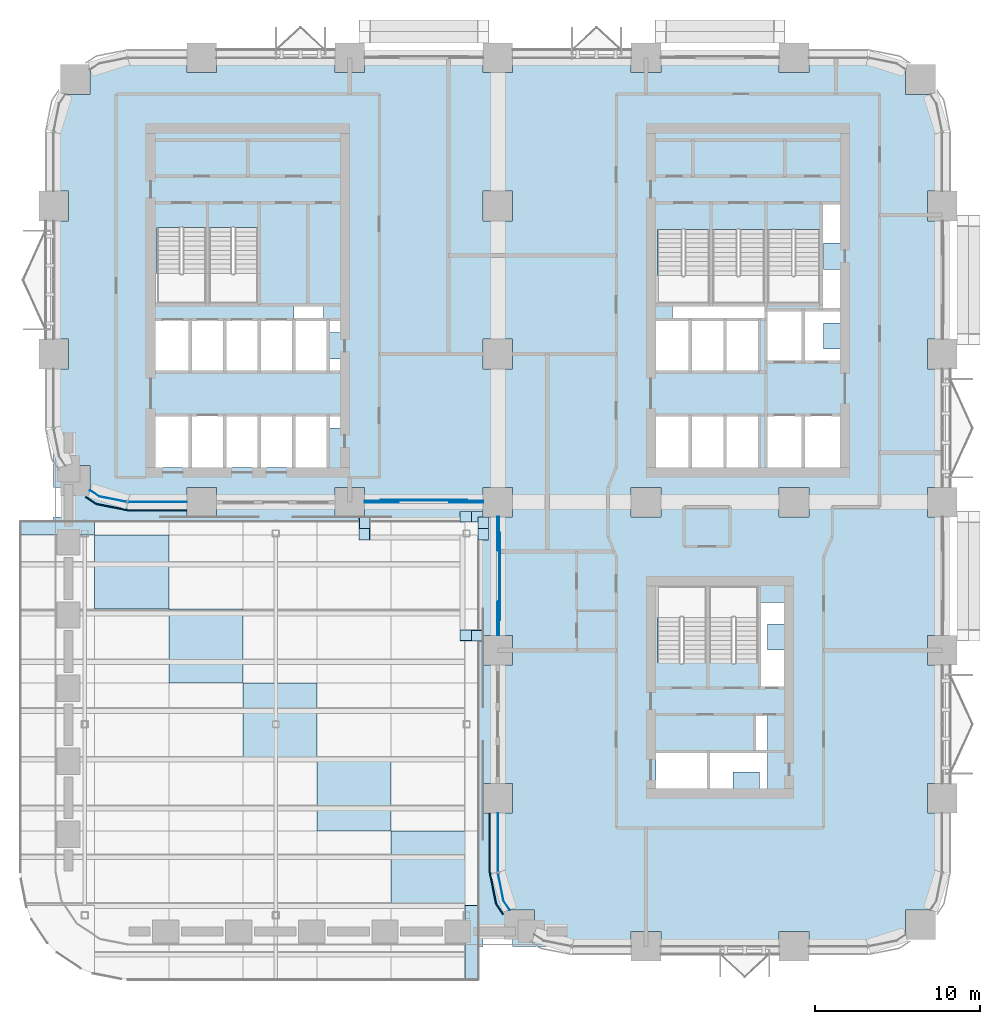
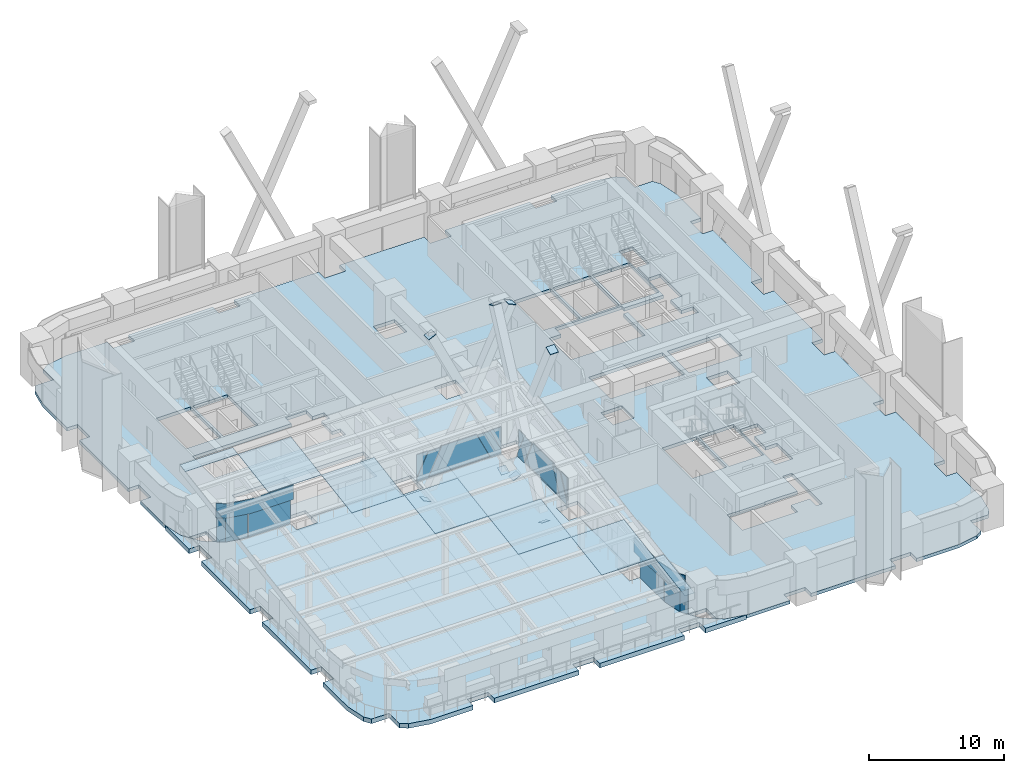
# One storey, part 10 of 22: 31 plates, 2 slabs, 4 elements without a shape of their own.
"""IFC4 building model written with IfcOpenShell, lengths in metres."""

import ifcopenshell
import ifcopenshell.guid

model = None  # the IFC model being written
_history = None  # IfcOwnerHistory: only IFC2X3 demands one
_inside = {}  # id of a spatial element -> (the spatial element, [elements in it])
_under = {}  # id of a project, library or spatial element -> (it, [spatial elements below it])
_declared = {}  # id of a project -> (the project, [libraries it declares])
_typed = {}  # id of a type object -> (the type object, [elements of that type])
_made_of = {}  # id of a material, layer set ... -> (it, [elements and type objects made of it])


def new_model(schema):
    """Start an empty IFC model of exactly this schema.

    Asked for "IFC4X3", IfcOpenShell would pick the latest addendum, in which some entities
    have other attributes; the version numbers below select the first issue.
    IFC2X3 requires an IfcOwnerHistory on every rooted entity: one is made here for all.
    """
    global model, _history
    if schema == "IFC4X3":
        model = ifcopenshell.file(schema_version=(4, 3, 0, 0))
    else:
        model = ifcopenshell.file(schema=schema)
    _inside.clear()
    _under.clear()
    _declared.clear()
    _typed.clear()
    _made_of.clear()
    _history = None
    if model.schema == "IFC2X3":
        org = make("IfcOrganization", Name="unknown")
        user = make(
            "IfcPersonAndOrganization",
            ThePerson=make("IfcPerson", FamilyName="unknown"),
            TheOrganization=org,
        )
        app = make(
            "IfcApplication",
            ApplicationDeveloper=org,
            Version="unknown",
            ApplicationFullName="unknown",
            ApplicationIdentifier="unknown",
        )
        _history = make(
            "IfcOwnerHistory",
            OwningUser=user,
            OwningApplication=app,
            ChangeAction="ADDED",
            CreationDate=0,
        )
    return model


def make(cls, **values):
    """One entity of the class cls with the attributes given. An attribute that is None is left unset."""
    return model.create_entity(
        cls, **{name: value for name, value in values.items() if value is not None}
    )


def rooted(cls, **values):
    """An entity with a GlobalId (a new one), such as an element, a storey or a relation."""
    return make(cls, GlobalId=ifcopenshell.guid.new(), OwnerHistory=_history, **values)


def si_unit(unit_type, name, prefix=None):
    """IfcSIUnit, for example si_unit("LENGTHUNIT", "METRE", prefix="MILLI")."""
    return make("IfcSIUnit", UnitType=unit_type, Prefix=prefix, Name=name)


def assignment(units):
    """IfcUnitAssignment: the units of a project."""
    return None if units is None else make("IfcUnitAssignment", Units=units)


def point(xyz):
    """IfcCartesianPoint."""
    return None if xyz is None else make("IfcCartesianPoint", Coordinates=xyz)


def direction(xyz):
    """IfcDirection."""
    return None if xyz is None else make("IfcDirection", DirectionRatios=xyz)


def frame(location, z_axis=None, x_axis=None):
    """IfcAxis2Placement3D, a coordinate frame: its origin and axes. An axis left out is left unset."""
    return make(
        "IfcAxis2Placement3D",
        Location=point(location),
        Axis=direction(z_axis),
        RefDirection=direction(x_axis),
    )


def frame_2d(location, x_axis=None):
    """IfcAxis2Placement2D, a coordinate frame in the plane: its origin and x axis."""
    return make(
        "IfcAxis2Placement2D", Location=point(location), RefDirection=direction(x_axis)
    )


def origin():
    """The frame at (0, 0, 0) with its axes left unset."""
    return frame((0.0, 0.0, 0.0))


def origin_2d():
    """The frame at (0, 0) in the plane with its x axis left unset."""
    return frame_2d((0.0, 0.0))


def place(relative_to, where):
    """IfcLocalPlacement: puts the frame where relative to a parent placement (None: the world)."""
    return make(
        "IfcLocalPlacement", PlacementRelTo=relative_to, RelativePlacement=where
    )


def context(
    kind, dimensions, precision=None, world=None, true_north=None, identifier=None
):
    """IfcGeometricRepresentationContext, for example the 3D "Model" context."""
    return make(
        "IfcGeometricRepresentationContext",
        ContextIdentifier=identifier,
        ContextType=kind,
        CoordinateSpaceDimension=dimensions,
        Precision=precision,
        WorldCoordinateSystem=world,
        TrueNorth=true_north,
    )


def subcontext(parent, identifier, kind, view, scale=None):
    """IfcGeometricRepresentationSubContext, for example "Body" below "Model"."""
    return make(
        "IfcGeometricRepresentationSubContext",
        ContextIdentifier=identifier,
        ContextType=kind,
        ParentContext=parent,
        TargetScale=scale,
        TargetView=view,
    )


def project(units=None, contexts=None):
    """IfcProject with its units and contexts."""
    return rooted(
        "IfcProject",
        Name="project",
        RepresentationContexts=contexts,
        UnitsInContext=assignment(units),
    )


def spatial(cls, under=None, at=None, **own):
    """A site, building, storey or space (cls), placed at a placement, below another one or the project."""
    s = rooted(cls, ObjectPlacement=at, **own)
    if under is not None:
        _under.setdefault(under.id(), (under, []))[1].append(s)
    return s


def polyline(points):
    """IfcPolyline through the points."""
    return make("IfcPolyline", Points=[point(p) for p in points])


def profile(cls, at=None, kind="AREA", **sizes):
    """A parametric profile (cls). Its sizes go by their IFC names, for example OverallWidth=200.0."""
    return make(cls, ProfileType=kind, Position=at, **sizes)


def rectangle(**sizes):
    """IfcRectangleProfileDef."""
    return profile("IfcRectangleProfileDef", **sizes)


def outline(outer, holes=None, kind="AREA"):
    """IfcArbitraryClosedProfileDef: a profile drawn as a closed curve; with holes, ...WithVoids."""
    if holes is None:
        return make("IfcArbitraryClosedProfileDef", ProfileType=kind, OuterCurve=outer)
    return make(
        "IfcArbitraryProfileDefWithVoids",
        ProfileType=kind,
        OuterCurve=outer,
        InnerCurves=holes,
    )


def extrude(swept, where, along, depth):
    """IfcExtrudedAreaSolid: the profile swept, set in the frame where, extruded along a direction by depth."""
    return make(
        "IfcExtrudedAreaSolid",
        SweptArea=swept,
        Position=where,
        ExtrudedDirection=direction(along),
        Depth=depth,
    )


def shape(context_of_items, identifier, shape_type, items):
    """IfcShapeRepresentation: the items that make up one representation, for example the "Body"."""
    return make(
        "IfcShapeRepresentation",
        ContextOfItems=context_of_items,
        RepresentationIdentifier=identifier,
        RepresentationType=shape_type,
        Items=items,
    )


def material(Name=None, Category=None):
    """IfcMaterial."""
    return make("IfcMaterial", Name=Name, Category=Category)


def layer(
    of_material, thickness, ventilated=None, Name=None, Category=None, Priority=None
):
    """IfcMaterialLayer: one layer of a wall or slab, of a material (None: an air gap)."""
    return make(
        "IfcMaterialLayer",
        Material=of_material,
        LayerThickness=thickness,
        IsVentilated=ventilated,
        Name=Name,
        Category=Category,
        Priority=Priority,
    )


def layer_set(layers, Name=None):
    """IfcMaterialLayerSet."""
    return make("IfcMaterialLayerSet", MaterialLayers=layers, LayerSetName=Name)


def made_of(thing, what):
    """Note that an element or type object is made of a material, layer set ...; save() writes the relation."""
    if what is not None:
        _made_of.setdefault(what.id(), (what, []))[1].append(thing)
    return thing


def type_object(cls, material=None, **own):
    """A type object (cls), such as IfcWallType, which elements share."""
    return made_of(rooted(cls, **own), material)


def element(
    cls,
    number,
    at=None,
    inside=None,
    cuts=None,
    type_object=None,
    material=None,
    context=None,
    identifier="Body",
    shape_type=None,
    held_by="IfcProductDefinitionShape",
    body=None,
    shapes=None,
    **own,
):
    """One element of the class cls, such as IfcWall. Its Tag is "e" and its number.

    at: its placement. inside: the storey or other place that contains it. cuts: it is an
    opening in that element (IfcRelVoidsElement). A single representation is given by context,
    identifier, shape_type and body (its items); several are given by shapes. held_by: the class
    of the entity that holds the representations. save() writes the other relations.
    """
    e = rooted(cls, Tag="e%d" % number, ObjectPlacement=at, **own)
    if body is not None:
        shapes = [shape(context, identifier, shape_type, body)]
    if shapes is not None:
        e.Representation = make(held_by, Representations=shapes)
    if inside is not None:
        _inside.setdefault(inside.id(), (inside, []))[1].append(e)
    if cuts is not None:
        rooted(
            "IfcRelVoidsElement", RelatingBuildingElement=cuts, RelatedOpeningElement=e
        )
    if type_object is not None:
        _typed.setdefault(type_object.id(), (type_object, []))[1].append(e)
    return made_of(e, material)


def aggregate(whole, parts):
    """IfcRelAggregates: a whole, such as a stair, and the parts it consists of."""
    return rooted("IfcRelAggregates", RelatingObject=whole, RelatedObjects=parts)


def save(model, path):
    """Write the relations noted so far, then the file.

    IfcRelAggregates (storeys below a building ...), IfcRelContainedInSpatialStructure (elements
    in a storey), IfcRelDefinesByType, IfcRelAssociatesMaterial and IfcRelDeclares: one each for
    every whole, place, type object, material and project.
    """
    for whole, parts in _under.values():
        aggregate(whole, parts)
    for where, things in _inside.values():
        rooted(
            "IfcRelContainedInSpatialStructure",
            RelatedElements=things,
            RelatingStructure=where,
        )
    for kind, things in _typed.values():
        rooted("IfcRelDefinesByType", RelatedObjects=things, RelatingType=kind)
    for what, things in _made_of.values():
        rooted("IfcRelAssociatesMaterial", RelatedObjects=things, RelatingMaterial=what)
    for by, libraries in _declared.values():
        rooted("IfcRelDeclares", RelatingContext=by, RelatedDefinitions=libraries)
    model.write(path)


model = new_model("IFC4")

# Units and contexts
model_context = context("Model", 3, precision=1e-05, world=origin(), true_north=direction((0.0, 1.0)))
body_context = subcontext(model_context, "Body", "Model", "MODEL_VIEW")
ifc_project = project(units=[si_unit("LENGTHUNIT", "METRE"), si_unit("AREAUNIT", "SQUARE_METRE"), si_unit("VOLUMEUNIT", "CUBIC_METRE"), si_unit("PLANEANGLEUNIT", "RADIAN"), si_unit("MASSUNIT", "GRAM", prefix="KILO")], contexts=[model_context])

# Site, building, storey
site_placement = place(None, origin())
site = spatial("IfcSite", under=ifc_project, at=site_placement, CompositionType="ELEMENT")
building_placement = place(site_placement, origin())
building = spatial("IfcBuilding", under=site, at=building_placement, Name="Tessera Arch", CompositionType="ELEMENT")
storey_placement = place(building_placement, frame((0.0, 0.0, 77.800048828125)))
storey = spatial("IfcBuildingStorey", under=building, at=storey_placement, Name="L17", CompositionType="ELEMENT", Elevation=77.800048828125)

# Curtain wall, plates
ifc_material_1 = material(Name="CW2 curtain wall")
curtain_wall_type_1 = type_object("IfcCurtainWallType", Name="CW2 curtain wall", PredefinedType="NOTDEFINED", material=ifc_material_1)
curtain_wall_1_placement = place(storey_placement, origin())
curtain_wall_1 = element("IfcCurtainWall", 1, at=curtain_wall_1_placement, inside=storey, type_object=curtain_wall_type_1, Name="CW2 curtain wall S27.0/0 L17", PredefinedType="NOTDEFINED")
ifc_material_2 = material(Name="Clear low-e glass", Category="glass")
ifc_material_3 = material(Name="Clear low-e glass", Category="glass")
ifc_layer_1 = layer(ifc_material_3, 0.028076171875)
ifc_layer_set_1 = layer_set([ifc_layer_1], Name="CW2 glass panel")
plate_type_1 = type_object("IfcPlateType", Name="CW2 glass panel", PredefinedType="CURTAIN_PANEL", material=ifc_layer_set_1)
plate_1_placement = place(storey_placement, frame((6.320068359375, 27.0, 0.0), z_axis=(0.0, 0.0, 1.0), x_axis=(1.0, 0.0, 0.0)))
plate_1 = element("IfcPlate", 2, at=plate_1_placement, type_object=plate_type_1, material=ifc_material_2, Name="CW2 glass panel S27.0/0 1.1", PredefinedType="CURTAIN_PANEL", context=body_context, shape_type="SweptSolid", body=[
    extrude(rectangle(XDim=3.56005859375, YDim=0.028076171875, at=origin_2d()), origin(), (0.0, 0.0, 1.0), 2.39990234375),
])
plate_2_placement = place(storey_placement, origin())
plate_2 = element("IfcPlate", 3, at=plate_2_placement, type_object=plate_type_1, material=ifc_material_2, Name="CW2 curved glass panel S27.0/0 2.1", PredefinedType="CURTAIN_PANEL", context=body_context, shape_type="SweptSolid", body=[
    extrude(outline(polyline([(2.783447265625, 27.355712890625), (2.225830078125, 27.728271484375), (2.210205078125, 27.705078125), (2.7724609375, 27.329345703125), (4.4580078125, 26.994140625), (4.46337890625, 27.021484375), (2.783447265625, 27.355712890625)])), origin(), (0.0, 0.0, 1.0), 2.39990234375),
])

curtain_wall_2_placement = place(storey_placement, origin())
curtain_wall_2 = element("IfcCurtainWall", 4, at=curtain_wall_2_placement, inside=storey, type_object=curtain_wall_type_1, Name="CW2 curtain wall W27.0/2 L17", PredefinedType="NOTDEFINED")
plate_3_placement = place(storey_placement, frame((27.0, 6.320068359375, 0.0), z_axis=(0.0, 0.0, 1.0), x_axis=(0.0, -1.0, 0.0)))
plate_3 = element("IfcPlate", 5, at=plate_3_placement, type_object=plate_type_1, material=ifc_material_2, Name="CW2 glass panel W27.0/2 1.1", PredefinedType="CURTAIN_PANEL", context=body_context, shape_type="SweptSolid", body=[
    extrude(rectangle(XDim=3.56005859375, YDim=0.028076171875, at=origin_2d()), origin(), (0.0, 0.0, 1.0), 2.39990234375),
])
plate_4_placement = place(storey_placement, origin())
plate_4 = element("IfcPlate", 6, at=plate_4_placement, type_object=plate_type_1, material=ifc_material_2, Name="CW2 curved glass panel W27.0/2 2.1", PredefinedType="CURTAIN_PANEL", context=body_context, shape_type="SweptSolid", body=[
    extrude(outline(polyline([(27.355712890625, 2.783447265625), (27.021484375, 4.46337890625), (26.994140625, 4.4580078125), (27.329345703125, 2.7724609375), (27.705078125, 2.210205078125), (27.728271484375, 2.225830078125), (27.355712890625, 2.783447265625)])), origin(), (0.0, 0.0, 1.0), 2.39990234375),
])

# Plate
ifc_material_4 = material(Name="Pale anodised aluminium panel", Category="aluminium")
ifc_layer_2 = layer(ifc_material_4, 0.06005859375)
ifc_layer_set_2 = layer_set([ifc_layer_2], Name="CW2 spandrel panel")
plate_type_2 = type_object("IfcPlateType", Name="CW2 spandrel panel", PredefinedType="CURTAIN_PANEL", material=ifc_layer_set_2)
plate_5_placement = place(storey_placement, frame((0.0, 0.0, 2.5)))
plate_5 = element("IfcPlate", 7, at=plate_5_placement, type_object=plate_type_2, Name="CW2 spandrel panel S27.0/0", PredefinedType="CURTAIN_PANEL", context=body_context, shape_type="SweptSolid", body=[
    extrude(outline(polyline([(2.52734375, 26.96875), (1.968017578125, 27.342529296875), (1.9345703125, 27.292724609375), (2.4951171875, 26.91796875), (2.537353515625, 26.892822265625), (2.582763671875, 26.871337890625), (2.6298828125, 26.8544921875), (2.677734375, 26.842529296875), (4.401123046875, 26.499755859375), (4.449951171875, 26.492431640625), (4.499267578125, 26.489990234375), (8.10009765625, 26.489990234375), (8.10009765625, 26.550048828125), (4.500732421875, 26.550048828125), (4.455810546875, 26.55224609375), (4.411376953125, 26.558837890625), (2.69091796875, 26.90087890625), (2.647216796875, 26.911865234375), (2.605712890625, 26.9267578125), (2.565673828125, 26.94580078125), (2.52734375, 26.96875)])), origin(), (0.0, 0.0, 1.0), 1.300048828125),
])

aggregate(curtain_wall_1, [plate_1, plate_2, plate_5])

plate_6_placement = place(storey_placement, frame((0.0, 0.0, 2.5)))
plate_6 = element("IfcPlate", 8, at=plate_6_placement, type_object=plate_type_2, Name="CW2 spandrel panel W27.0/2", PredefinedType="CURTAIN_PANEL", context=body_context, shape_type="SweptSolid", body=[
    extrude(outline(polyline([(26.550048828125, 4.500732421875), (26.550048828125, 8.10009765625), (26.489990234375, 8.10009765625), (26.489990234375, 4.499267578125), (26.492431640625, 4.449951171875), (26.499755859375, 4.401123046875), (26.842529296875, 2.677734375), (26.8544921875, 2.6298828125), (26.871337890625, 2.582763671875), (26.892822265625, 2.537353515625), (26.91796875, 2.4951171875), (27.292724609375, 1.9345703125), (27.342529296875, 1.968017578125), (26.96875, 2.52734375), (26.94580078125, 2.565673828125), (26.9267578125, 2.605712890625), (26.911865234375, 2.647216796875), (26.90087890625, 2.69091796875), (26.558837890625, 4.411376953125), (26.55224609375, 4.455810546875), (26.550048828125, 4.500732421875)])), origin(), (0.0, 0.0, 1.0), 1.300048828125),
])

aggregate(curtain_wall_2, [plate_3, plate_4, plate_6])

# Curtain wall, plates
ifc_material_5 = material(Name="CW3 curtain wall")
curtain_wall_type_2 = type_object("IfcCurtainWallType", Name="CW3 curtain wall", PredefinedType="NOTDEFINED", material=ifc_material_5)
curtain_wall_3_placement = place(storey_placement, origin())
curtain_wall_3 = element("IfcCurtainWall", 9, at=curtain_wall_3_placement, inside=storey, type_object=curtain_wall_type_2, Name="CW3 curtain wall S27.0/2 L17", PredefinedType="NOTDEFINED")
ifc_material_6 = material(Name="Pale anodised aluminium panel", Category="aluminium")
ifc_layer_3 = layer(ifc_material_6, 0.06005859375)
ifc_layer_set_3 = layer_set([ifc_layer_3], Name="CW3 diagonal panel")
plate_type_3 = type_object("IfcPlateType", Name="CW3 diagonal panel", PredefinedType="CURTAIN_PANEL", material=ifc_layer_set_3)
plate_7_placement = place(storey_placement, frame((26.10009765625, 26.969970703125, 0.0), z_axis=(0.0, -1.0, 0.0), x_axis=(0.0, 0.0, 1.0)))
plate_7 = element("IfcPlate", 10, at=plate_7_placement, type_object=plate_type_3, Name="CW3 diagonal panel S27.0/2 1", PredefinedType="CURTAIN_PANEL", context=body_context, shape_type="SweptSolid", body=[
    extrude(outline(polyline([(0.0, 0.0), (0.36083984375, 0.0), (2.39990234375, 0.966064453125), (2.39990234375, 2.06591796875), (0.0, 0.928955078125), (0.0, 0.0)])), origin(), (0.0, 0.0, -1.0), 0.06005859375),
])
plate_8_placement = place(storey_placement, frame((20.9658203125, 26.969970703125, 2.39990234375), z_axis=(0.0, -1.0, 0.0), x_axis=(-1.0, 0.0, 0.0)))
plate_8 = element("IfcPlate", 11, at=plate_8_placement, type_object=plate_type_3, Name="CW3 diagonal panel S27.0/2 2", PredefinedType="CURTAIN_PANEL", context=body_context, shape_type="SweptSolid", body=[
    extrude(outline(polyline([(0.0, 0.0), (1.099853515625, 0.0), (2.06591796875, 2.0390625), (2.06591796875, 2.39990234375), (1.136962890625, 2.39990234375), (0.0, 0.0)])), origin(), (0.0, 0.0, -1.0), 0.06005859375),
])
plate_9_placement = place(storey_placement, frame((18.89990234375, 27.030029296875, 2.39990234375), z_axis=(0.0, -1.0, 0.0), x_axis=(0.0, 0.0, -1.0)))
plate_9 = element("IfcPlate", 12, at=plate_9_placement, type_object=plate_type_3, Name="CW3 diagonal panel S27.0/2 3", PredefinedType="CURTAIN_PANEL", context=body_context, shape_type="SweptSolid", body=[
    extrude(outline(polyline([(0.0, 0.0), (2.0390625, 0.0), (0.0, 0.966064453125), (0.0, 0.0)])), origin(), (0.0, 0.0, -1.0), 0.06005859375),
])
plate_10_placement = place(storey_placement, frame((24.0341796875, 27.090087890625, 2.39990234375), z_axis=(0.0, -1.0, 0.0), x_axis=(-1.0, 0.0, 0.0)))
plate_10 = element("IfcPlate", 13, at=plate_10_placement, type_object=plate_type_3, Name="CW3 diagonal panel S27.0/2 4", PredefinedType="CURTAIN_PANEL", context=body_context, shape_type="SweptSolid", body=[
    extrude(outline(polyline([(0.0, 0.0), (3.068359375, 0.0), (4.205322265625, 2.39990234375), (-1.136962890625, 2.39990234375), (0.0, 0.0)])), origin(), (0.0, 0.0, -1.0), 0.06005859375),
])
plate_11_placement = place(storey_placement, frame((26.10009765625, 27.030029296875, 2.39990234375), z_axis=(0.0, -1.0, 0.0), x_axis=(-1.0, 0.0, 0.0)))
plate_11 = element("IfcPlate", 14, at=plate_11_placement, type_object=plate_type_3, Name="CW3 diagonal panel S27.0/2 5", PredefinedType="CURTAIN_PANEL", context=body_context, shape_type="SweptSolid", body=[
    extrude(outline(polyline([(0.0, 0.0), (0.966064453125, 0.0), (0.0, 2.0390625), (0.0, 0.0)])), origin(), (0.0, 0.0, -1.0), 0.06005859375),
])
aggregate(curtain_wall_3, [plate_7, plate_8, plate_9, plate_10, plate_11])

curtain_wall_4_placement = place(storey_placement, origin())
curtain_wall_4 = element("IfcCurtainWall", 15, at=curtain_wall_4_placement, inside=storey, type_object=curtain_wall_type_2, Name="CW3 curtain wall W27.0/0 L17", PredefinedType="NOTDEFINED")
plate_12_placement = place(storey_placement, frame((26.969970703125, 18.89990234375, 0.0), z_axis=(-1.0, 0.0, 0.0), x_axis=(0.0, 0.0, 1.0)))
plate_12 = element("IfcPlate", 16, at=plate_12_placement, type_object=plate_type_3, Name="CW3 diagonal panel W27.0/0 1", PredefinedType="CURTAIN_PANEL", context=body_context, shape_type="SweptSolid", body=[
    extrude(outline(polyline([(0.0, 0.0), (0.36083984375, 0.0), (2.39990234375, 0.966064453125), (2.39990234375, 2.06591796875), (0.0, 0.928955078125), (0.0, 0.0)])), origin(), (0.0, 0.0, -1.0), 0.06005859375),
])
plate_13_placement = place(storey_placement, frame((26.969970703125, 24.0341796875, 2.39990234375), z_axis=(-1.0, 0.0, 0.0), x_axis=(0.0, 1.0, 0.0)))
plate_13 = element("IfcPlate", 17, at=plate_13_placement, type_object=plate_type_3, Name="CW3 diagonal panel W27.0/0 2", PredefinedType="CURTAIN_PANEL", context=body_context, shape_type="SweptSolid", body=[
    extrude(outline(polyline([(0.0, 0.0), (1.099853515625, 0.0), (2.06591796875, 2.0390625), (2.06591796875, 2.39990234375), (1.136962890625, 2.39990234375), (0.0, 0.0)])), origin(), (0.0, 0.0, -1.0), 0.06005859375),
])
plate_14_placement = place(storey_placement, frame((27.030029296875, 26.10009765625, 2.39990234375), z_axis=(-1.0, 0.0, 0.0), x_axis=(0.0, 0.0, -1.0)))
plate_14 = element("IfcPlate", 18, at=plate_14_placement, type_object=plate_type_3, Name="CW3 diagonal panel W27.0/0 3", PredefinedType="CURTAIN_PANEL", context=body_context, shape_type="SweptSolid", body=[
    extrude(outline(polyline([(0.0, 0.0), (2.0390625, 0.0), (0.0, 0.966064453125), (0.0, 0.0)])), origin(), (0.0, 0.0, -1.0), 0.06005859375),
])
plate_15_placement = place(storey_placement, frame((27.090087890625, 20.9658203125, 2.39990234375), z_axis=(-1.0, 0.0, 0.0), x_axis=(0.0, 1.0, 0.0)))
plate_15 = element("IfcPlate", 19, at=plate_15_placement, type_object=plate_type_3, Name="CW3 diagonal panel W27.0/0 4", PredefinedType="CURTAIN_PANEL", context=body_context, shape_type="SweptSolid", body=[
    extrude(outline(polyline([(0.0, 0.0), (3.068359375, 0.0), (4.205322265625, 2.39990234375), (-1.136962890625, 2.39990234375), (0.0, 0.0)])), origin(), (0.0, 0.0, -1.0), 0.06005859375),
])
plate_16_placement = place(storey_placement, frame((27.030029296875, 18.89990234375, 2.39990234375), z_axis=(-1.0, 0.0, 0.0), x_axis=(0.0, 1.0, 0.0)))
plate_16 = element("IfcPlate", 20, at=plate_16_placement, type_object=plate_type_3, Name="CW3 diagonal panel W27.0/0 5", PredefinedType="CURTAIN_PANEL", context=body_context, shape_type="SweptSolid", body=[
    extrude(outline(polyline([(0.0, 0.0), (0.966064453125, 0.0), (0.0, 2.0390625), (0.0, 0.0)])), origin(), (0.0, 0.0, -1.0), 0.06005859375),
])
aggregate(curtain_wall_4, [plate_12, plate_13, plate_14, plate_15, plate_16])

# Plates
ifc_material_7 = material(Name="Clear low-e laminated glass", Category="glass")
ifc_layer_4 = layer(ifc_material_7, 0.0439453125)
ifc_layer_set_4 = layer_set([ifc_layer_4], Name="Canopy panel clear glass")
plate_type_4 = type_object("IfcPlateType", Name="Canopy panel clear glass", PredefinedType="SHEET", material=ifc_layer_set_4)
plate_17_placement = place(storey_placement, frame((-2.0, 25.0, 9.4404296875), z_axis=(0.0, -0.15642687598, 0.987689542554), x_axis=(1.0, 0.0, 0.0)))
element("IfcPlate", 21, at=plate_17_placement, inside=storey, type_object=plate_type_4, Name="CANOPY T4 panel 1-7", PredefinedType="SHEET", context=body_context, shape_type="SweptSolid", body=[
    extrude(outline(polyline([(0.0, 0.0), (4.5, 0.0), (4.5, 0.8100205516562711), (0.0, 0.8100205516562711), (0.0, 0.0)])), origin(), (0.0, 0.0, -1.0), 0.0439453125),
])
plate_18_placement = place(storey_placement, frame((7.0, 20.5, 8.7275390625), z_axis=(0.0, -0.156468860961, 0.987682892203), x_axis=(0.0, 0.987682892203, 0.156468860961)))
element("IfcPlate", 22, at=plate_18_placement, inside=storey, type_object=plate_type_4, Name="CANOPY T4 panel 2-6", PredefinedType="SHEET", context=body_context, shape_type="SweptSolid", body=[
    extrude(outline(polyline([(0.0, 0.0), (4.556118198994939, 0.0), (4.556118198994939, 4.5), (0.0, 4.5), (0.0, 0.0)])), origin(), (0.0, 0.0, -1.0), 0.0439453125),
])
for number, where, z_axis, x_axis, name in (
    (23, (11.5, 16.0, 8.014892578125), (0.0, -0.156416586978, 0.987691172036), (0.0, 0.987691172036, 0.156416586978), "CANOPY T4 panel 3-5"),
    (24, (16.0, 11.5, 7.30224609375), (0.0, -0.156416586978, 0.987691172036), (0.0, 0.987691172036, 0.156416586978), "CANOPY T4 panel 4-4"),
):
    element("IfcPlate", number, at=place(storey_placement, frame(where, z_axis=z_axis, x_axis=x_axis)), inside=storey, type_object=plate_type_4, Name=name, PredefinedType="SHEET", context=body_context, shape_type="SweptSolid", body=[
        extrude(outline(polyline([(0.0, 0.0), (4.556080004970506, 0.0), (4.556080004970506, 4.5), (0.0, 4.5), (0.0, 0.0)])), origin(), (0.0, 0.0, -1.0), 0.0439453125),
    ])
plate_19_placement = place(storey_placement, frame((20.5, 7.0, 6.58935546875), z_axis=(0.0, -0.156468860961, 0.987682892203), x_axis=(0.0, 0.987682892203, 0.156468860961)))
element("IfcPlate", 25, at=plate_19_placement, inside=storey, type_object=plate_type_4, Name="CANOPY T4 panel 5-3", PredefinedType="SHEET", context=body_context, shape_type="SweptSolid", body=[
    extrude(outline(polyline([(0.0, 0.0), (4.556118198994939, 0.0), (4.556118198994939, 4.5), (0.0, 4.5), (0.0, 0.0)])), origin(), (0.0, 0.0, -1.0), 0.0439453125),
])
plate_20_placement = place(storey_placement, frame((25.0, 2.5, 5.876708984375), z_axis=(0.0, -0.156416586978, 0.987691172036), x_axis=(0.0, 0.987691172036, 0.156416586978)))
element("IfcPlate", 26, at=plate_20_placement, inside=storey, type_object=plate_type_4, Name="CANOPY T4 panel 6-2", PredefinedType="SHEET", context=body_context, shape_type="SweptSolid", body=[
    extrude(outline(polyline([(0.0, 0.0), (4.556080004970506, 0.0), (4.556080004970506, 4.5), (0.0, 4.5), (0.0, 0.0)])), origin(), (0.0, 0.0, -1.0), 0.0439453125),
])
plate_21_placement = place(storey_placement, frame((25.800048828125, 2.5, 5.876708984375), z_axis=(0.0, -0.156416586978, 0.987691172036), x_axis=(-1.0, 0.0, 0.0)))
element("IfcPlate", 27, at=plate_21_placement, inside=storey, type_object=plate_type_4, Name="CANOPY T4 panel 7-1", PredefinedType="SHEET", context=body_context, shape_type="SweptSolid", body=[
    extrude(outline(polyline([(0.0, 0.0), (0.800048828125, 0.0), (0.800048828125, 4.556080004970506), (0.0, 4.556080004970506), (0.0, 0.0)])), origin(), (0.0, 0.0, -1.0), 0.0439453125),
])
ifc_material_8 = material(Name="Steel A572 Gr50", Category="steel")
ifc_layer_5 = layer(ifc_material_8, 0.0400390625)
ifc_layer_set_5 = layer_set([ifc_layer_5], Name="End plate BOX 700x700x50")
plate_type_5 = type_object("IfcPlateType", Name="End plate BOX 700x700x50", PredefinedType="SHEET", material=ifc_layer_set_5)
for number, where, z_axis, x_axis, name in (
    (28, (18.8828125, 25.75, -0.836181640625), (0.427561148889, 0.0, 0.90398642908), (0.0, 1.0, 0.0), "End plate BOX 700x700x50 S27.0-2 A1 L17"),
    (29, (26.10009765625, 25.75, 14.39990234375), (0.427561148889, 0.0, 0.90398642908), (0.0, 1.0, 0.0), "End plate BOX 700x700x50 S27.0-2 A2 L17"),
    (30, (26.1171875, 25.050048828125, -0.836181640625), (-0.427561148889, 0.0, 0.90398642908), (0.0, -1.0, 0.0), "End plate BOX 700x700x50 S27.0-2 B1 L17"),
    (31, (18.89990234375, 25.050048828125, 14.39990234375), (-0.427561148889, 0.0, 0.90398642908), (0.0, -1.0, 0.0), "End plate BOX 700x700x50 S27.0-2 B2 L17"),
    (32, (25.75, 26.1171875, -0.836181640625), (0.0, -0.427561148889, 0.90398642908), (1.0, 0.0, 0.0), "End plate BOX 700x700x50 W27.0-0 A1 L17"),
    (33, (25.75, 18.89990234375, 14.39990234375), (0.0, -0.427561148889, 0.90398642908), (1.0, 0.0, 0.0), "End plate BOX 700x700x50 W27.0-0 A2 L17"),
    (34, (25.050048828125, 18.8828125, -0.836181640625), (0.0, 0.427561148889, 0.90398642908), (-1.0, 0.0, 0.0), "End plate BOX 700x700x50 W27.0-0 B1 L17"),
    (35, (25.050048828125, 26.10009765625, 14.39990234375), (0.0, 0.427561148889, 0.90398642908), (-1.0, 0.0, 0.0), "End plate BOX 700x700x50 W27.0-0 B2 L17"),
):
    element("IfcPlate", number, at=place(storey_placement, frame(where, z_axis=z_axis, x_axis=x_axis)), inside=storey, type_object=plate_type_5, Name=name, PredefinedType="SHEET", context=body_context, shape_type="SweptSolid", body=[
        extrude(rectangle(XDim=0.699951171875, YDim=0.699951171875, at=origin_2d()), origin(), (0.0, 0.0, 1.0), 0.0400390625),
    ])

# Slabs
ifc_material_9 = material(Name="Concrete C40/50", Category="concrete")
ifc_layer_6 = layer(ifc_material_9, 0.300048828125)
ifc_layer_set_6 = layer_set([ifc_layer_6], Name="Floor slab 300 Concrete C40/50")
slab_type_1 = type_object("IfcSlabType", Name="Floor slab 300 Concrete C40/50", PredefinedType="FLOOR", material=ifc_layer_set_6)
slab_1_placement = place(storey_placement, frame((0.0, 0.0, -0.300048828125)))
element("IfcSlab", 36, at=slab_1_placement, inside=storey, type_object=slab_type_1, Name="Floor slab L17 1", PredefinedType="FLOOR", context=body_context, shape_type="SweptSolid", body=[
    extrude(outline(polyline([(49.5, 54.0), (51.22216796875, 53.657470703125), (51.781982421875, 53.283447265625), (51.781982421875, 51.781982421875), (53.283447265625, 51.781982421875), (53.657470703125, 51.22216796875), (54.0, 49.5), (54.0, 45.89990234375), (53.10009765625, 45.89990234375), (53.10009765625, 44.10009765625), (54.0, 44.10009765625), (54.0, 36.89990234375), (53.10009765625, 36.89990234375), (53.10009765625, 35.10009765625), (54.0, 35.10009765625), (54.0, 27.89990234375), (53.10009765625, 27.89990234375), (53.10009765625, 26.10009765625), (54.0, 26.10009765625), (54.0, 18.89990234375), (53.10009765625, 18.89990234375), (53.10009765625, 17.10009765625), (54.0, 17.10009765625), (54.0, 9.89990234375), (53.10009765625, 9.89990234375), (53.10009765625, 8.10009765625), (54.0, 8.10009765625), (54.0, 4.5), (53.657470703125, 2.77783203125), (53.283447265625, 2.218017578125), (51.781982421875, 2.218017578125), (51.781982421875, 0.716552734375), (51.22216796875, 0.342529296875), (49.5, 0.0), (45.89990234375, 0.0), (45.89990234375, 0.89990234375), (44.10009765625, 0.89990234375), (44.10009765625, 0.0), (36.89990234375, 0.0), (36.89990234375, 0.89990234375), (35.10009765625, 0.89990234375), (35.10009765625, 0.0), (31.5, 0.0), (29.77783203125, 0.342529296875), (29.218017578125, 0.716552734375), (29.218017578125, 2.218017578125), (27.716552734375, 2.218017578125), (27.342529296875, 2.77783203125), (27.0, 4.5), (27.0, 8.10009765625), (27.89990234375, 8.10009765625), (27.89990234375, 9.89990234375), (27.0, 9.89990234375), (27.0, 17.10009765625), (27.89990234375, 17.10009765625), (27.89990234375, 18.89990234375), (27.0, 18.89990234375), (27.0, 26.10009765625), (27.89990234375, 26.10009765625), (27.89990234375, 27.89990234375), (26.10009765625, 27.89990234375), (26.10009765625, 27.0), (18.89990234375, 27.0), (18.89990234375, 27.89990234375), (17.10009765625, 27.89990234375), (17.10009765625, 27.0), (9.89990234375, 27.0), (9.89990234375, 27.89990234375), (8.10009765625, 27.89990234375), (8.10009765625, 27.0), (4.5, 27.0), (2.77783203125, 27.342529296875), (2.218017578125, 27.716552734375), (2.218017578125, 29.218017578125), (0.716552734375, 29.218017578125), (0.342529296875, 29.77783203125), (0.0, 31.5), (0.0, 35.10009765625), (0.89990234375, 35.10009765625), (0.89990234375, 36.89990234375), (0.0, 36.89990234375), (0.0, 44.10009765625), (0.89990234375, 44.10009765625), (0.89990234375, 45.89990234375), (0.0, 45.89990234375), (0.0, 49.5), (0.342529296875, 51.22216796875), (0.716552734375, 51.781982421875), (2.218017578125, 51.781982421875), (2.218017578125, 53.283447265625), (2.77783203125, 53.657470703125), (4.5, 54.0), (8.10009765625, 54.0), (8.10009765625, 53.10009765625), (9.89990234375, 53.10009765625), (9.89990234375, 54.0), (17.10009765625, 54.0), (17.10009765625, 53.10009765625), (18.89990234375, 53.10009765625), (18.89990234375, 54.0), (26.10009765625, 54.0), (26.10009765625, 53.10009765625), (27.89990234375, 53.10009765625), (27.89990234375, 54.0), (35.10009765625, 54.0), (35.10009765625, 53.10009765625), (36.89990234375, 53.10009765625), (36.89990234375, 54.0), (44.10009765625, 54.0), (44.10009765625, 53.10009765625), (45.89990234375, 53.10009765625), (45.89990234375, 54.0), (49.5, 54.0)]), holes=[polyline([(6.199951171875, 32.300048828125), (6.199951171875, 29.10009765625), (8.300048828125, 29.10009765625), (10.39990234375, 29.10009765625), (12.5, 29.10009765625), (14.60009765625, 29.10009765625), (16.699951171875, 29.10009765625), (16.699951171875, 31.5), (17.39990234375, 31.5), (17.39990234375, 32.300048828125), (16.699951171875, 32.300048828125), (14.60009765625, 32.300048828125), (12.5, 32.300048828125), (10.39990234375, 32.300048828125), (8.300048828125, 32.300048828125), (6.199951171875, 32.300048828125)]), polyline([(14.60009765625, 34.89990234375), (16.699951171875, 34.89990234375), (17.39990234375, 34.89990234375), (17.39990234375, 35.699951171875), (16.699951171875, 35.699951171875), (16.699951171875, 37.300048828125), (17.39990234375, 37.300048828125), (17.39990234375, 38.10009765625), (16.699951171875, 38.10009765625), (16.39990234375, 38.10009765625), (16.39990234375, 39.0), (14.60009765625, 39.0), (14.60009765625, 38.10009765625), (12.5, 38.10009765625), (10.39990234375, 38.10009765625), (8.300048828125, 38.10009765625), (6.199951171875, 38.10009765625), (6.199951171875, 34.89990234375), (8.300048828125, 34.89990234375), (10.39990234375, 34.89990234375), (12.5, 34.89990234375), (14.60009765625, 34.89990234375)]), polyline([(11.0, 43.699951171875), (10.85009765625, 43.699951171875), (10.85009765625, 43.68994140625), (9.449951171875, 43.68994140625), (9.449951171875, 39.199951171875), (12.39990234375, 39.199951171875), (12.39990234375, 43.68994140625), (11.0, 43.68994140625), (11.0, 43.699951171875)]), polyline([(7.85009765625, 43.699951171875), (7.699951171875, 43.699951171875), (7.699951171875, 43.68994140625), (6.300048828125, 43.68994140625), (6.300048828125, 39.199951171875), (9.25, 39.199951171875), (9.25, 43.68994140625), (7.85009765625, 43.68994140625), (7.85009765625, 43.699951171875)]), polyline([(43.39990234375, 9.60009765625), (43.39990234375, 11.89990234375), (43.39990234375, 14.10009765625), (42.60009765625, 14.10009765625), (42.60009765625, 11.89990234375), (39.800048828125, 11.89990234375), (39.800048828125, 11.85009765625), (36.60009765625, 11.85009765625), (36.60009765625, 9.60009765625), (39.800048828125, 9.60009765625), (41.300048828125, 9.60009765625), (41.300048828125, 10.60009765625), (42.89990234375, 10.60009765625), (42.89990234375, 9.60009765625), (43.39990234375, 9.60009765625)]), polyline([(41.25, 17.199951171875), (41.39990234375, 17.199951171875), (41.39990234375, 17.2099609375), (42.800048828125, 17.2099609375), (42.800048828125, 21.699951171875), (39.85009765625, 21.699951171875), (39.85009765625, 17.2099609375), (41.25, 17.2099609375), (41.25, 17.199951171875)]), polyline([(38.10009765625, 17.199951171875), (38.25, 17.199951171875), (38.25, 17.2099609375), (39.64990234375, 17.2099609375), (39.64990234375, 21.699951171875), (36.699951171875, 21.699951171875), (36.699951171875, 17.2099609375), (38.10009765625, 17.2099609375), (38.10009765625, 17.199951171875)]), polyline([(35.10009765625, 26.10009765625), (36.89990234375, 26.10009765625), (36.89990234375, 27.89990234375), (35.10009765625, 27.89990234375), (35.10009765625, 26.10009765625)]), polyline([(38.699951171875, 29.10009765625), (40.800048828125, 29.10009765625), (42.89990234375, 29.10009765625), (42.89990234375, 32.300048828125), (40.800048828125, 32.300048828125), (38.699951171875, 32.300048828125), (36.60009765625, 32.300048828125), (36.60009765625, 29.10009765625), (38.699951171875, 29.10009765625)]), polyline([(26.10009765625, 35.10009765625), (27.89990234375, 35.10009765625), (27.89990234375, 36.89990234375), (26.10009765625, 36.89990234375), (26.10009765625, 35.10009765625)]), polyline([(43.300048828125, 39.0), (37.60009765625, 39.0), (37.60009765625, 38.10009765625), (36.60009765625, 38.10009765625), (36.60009765625, 34.89990234375), (38.699951171875, 34.89990234375), (40.800048828125, 34.89990234375), (42.89990234375, 34.89990234375), (42.89990234375, 38.10009765625), (43.300048828125, 38.10009765625), (43.300048828125, 35.5), (45.550048828125, 35.5), (47.800048828125, 35.5), (47.800048828125, 36.300048828125), (46.800048828125, 36.300048828125), (46.800048828125, 37.89990234375), (47.800048828125, 37.89990234375), (47.800048828125, 38.699951171875), (47.800048828125, 41.14990234375), (46.800048828125, 41.14990234375), (46.800048828125, 42.75), (47.800048828125, 42.75), (47.800048828125, 45.199951171875), (46.64990234375, 45.199951171875), (46.64990234375, 38.699951171875), (45.550048828125, 38.699951171875), (43.300048828125, 38.699951171875), (43.300048828125, 39.0)]), polyline([(38.330078125, 43.580078125), (38.219970703125, 43.580078125), (38.219970703125, 43.570068359375), (36.699951171875, 43.570068359375), (36.699951171875, 39.199951171875), (39.85009765625, 39.199951171875), (39.85009765625, 43.570068359375), (38.330078125, 43.570068359375), (38.330078125, 43.580078125)]), polyline([(26.10009765625, 44.10009765625), (27.89990234375, 44.10009765625), (27.89990234375, 45.89990234375), (26.10009765625, 45.89990234375), (26.10009765625, 44.10009765625)]), polyline([(42.89990234375, 15.699951171875), (44.39990234375, 15.699951171875), (44.39990234375, 18.0), (43.39990234375, 18.0), (43.39990234375, 19.60009765625), (44.39990234375, 19.60009765625), (44.39990234375, 20.89990234375), (42.89990234375, 20.89990234375), (42.89990234375, 15.699951171875)]), polyline([(44.10009765625, 26.10009765625), (45.89990234375, 26.10009765625), (45.89990234375, 27.89990234375), (44.10009765625, 27.89990234375), (44.10009765625, 26.10009765625)]), polyline([(45.550048828125, 29.10009765625), (47.800048828125, 29.10009765625), (47.800048828125, 32.300048828125), (45.550048828125, 32.300048828125), (43.300048828125, 32.300048828125), (43.300048828125, 29.10009765625), (45.550048828125, 29.10009765625)]), polyline([(45.030029296875, 43.580078125), (44.919921875, 43.580078125), (44.919921875, 43.570068359375), (43.39990234375, 43.570068359375), (43.39990234375, 39.199951171875), (46.550048828125, 39.199951171875), (46.550048828125, 43.570068359375), (45.030029296875, 43.570068359375), (45.030029296875, 43.580078125)]), polyline([(41.679931640625, 43.580078125), (41.570068359375, 43.580078125), (41.570068359375, 43.570068359375), (40.050048828125, 43.570068359375), (40.050048828125, 39.199951171875), (43.199951171875, 39.199951171875), (43.199951171875, 43.570068359375), (41.679931640625, 43.570068359375), (41.679931640625, 43.580078125)])]), origin(), (0.0, 0.0, 1.0), 0.300048828125),
])
ifc_material_10 = material(Name="Concrete C40/50", Category="concrete")
ifc_layer_7 = layer(ifc_material_10, 0.409912109375)
ifc_layer_set_7 = layer_set([ifc_layer_7], Name="Terrace slab 410 Concrete C40/50")
slab_type_2 = type_object("IfcSlabType", Name="Terrace slab 410 Concrete C40/50", PredefinedType="ROOF", material=ifc_layer_set_7)
slab_2_placement = place(storey_placement, frame((0.0, 0.0, -0.41015625)))
element("IfcSlab", 37, at=slab_2_placement, inside=storey, type_object=slab_type_2, Name="Terrace slab L17 1.1", PredefinedType="ROOF", context=body_context, shape_type="SweptSolid", body=[
    extrude(outline(polyline([(0.3427734375, 29.77783203125), (1.31787109375, 28.318115234375), (1.318115234375, 28.318115234375), (1.318115234375, 28.31787109375), (2.77783203125, 27.3427734375), (2.77783203125, 27.342529296875), (2.778076171875, 27.342529296875), (4.499755859375, 27.0), (4.5, 27.0), (4.500244140625, 27.0), (8.10009765625, 27.0), (8.10009765625, 26.10009765625), (9.89990234375, 26.10009765625), (9.89990234375, 27.0), (17.10009765625, 27.0), (17.10009765625, 26.10009765625), (18.89990234375, 26.10009765625), (18.89990234375, 27.0), (26.10009765625, 27.0), (26.10009765625, 26.10009765625), (27.0, 26.10009765625), (27.0, 18.89990234375), (26.10009765625, 18.89990234375), (26.10009765625, 17.10009765625), (27.0, 17.10009765625), (27.0, 9.89990234375), (26.10009765625, 9.89990234375), (26.10009765625, 8.10009765625), (27.0, 8.10009765625), (27.0, 4.500244140625), (27.0, 4.5), (27.0, 4.499755859375), (27.342529296875, 2.778076171875), (27.342529296875, 2.77783203125), (27.3427734375, 2.77783203125), (28.31787109375, 1.318115234375), (28.318115234375, 1.318115234375), (28.318115234375, 1.31787109375), (29.77783203125, 0.3427734375), (29.77783203125, 0.342529296875), (29.778076171875, 0.342529296875), (31.400390625, 0.019775390625), (31.4013671875, 0.01953125), (31.40234375, 0.019287109375), (31.403076171875, 0.018798828125), (31.404052734375, 0.018310546875), (31.40478515625, 0.017822265625), (31.405517578125, 0.01708984375), (31.40625, 0.016357421875), (31.40673828125, 0.015625), (31.4072265625, 0.0146484375), (31.40771484375, 0.013916015625), (31.407958984375, 0.012939453125), (31.408203125, 0.011962890625), (31.408447265625, 0.010986328125), (31.408447265625, 0.010009765625), (31.408447265625, 0.009033203125), (31.408203125, 0.008056640625), (31.407958984375, 0.007080078125), (31.40771484375, 0.006103515625), (31.4072265625, 0.00537109375), (31.40673828125, 0.00439453125), (31.40625, 0.003662109375), (31.405517578125, 0.0029296875), (31.40478515625, 0.002197265625), (31.404052734375, 0.001708984375), (31.403076171875, 0.001220703125), (31.40234375, 0.000732421875), (31.4013671875, 0.00048828125), (31.400390625, 0.000244140625), (31.3994140625, 0.0), (31.3984375, 0.0), (27.89990234375, 0.0), (27.89990234375, 0.89990234375), (26.10009765625, 0.89990234375), (26.10009765625, 0.0), (18.89990234375, 0.0), (18.89990234375, 0.89990234375), (17.10009765625, 0.89990234375), (17.10009765625, 0.0), (9.89990234375, 0.0), (9.89990234375, 0.89990234375), (8.10009765625, 0.89990234375), (8.10009765625, 0.0), (4.5009765625, 0.0), (4.5, 0.0), (4.4990234375, 0.000244140625), (2.77978515625, 0.342041015625), (2.77880859375, 0.34228515625), (2.778076171875, 0.3427734375), (2.777099609375, 0.34326171875), (2.7763671875, 0.34375), (2.218017578125, 0.716552734375), (2.218017578125, 2.218017578125), (0.716552734375, 2.218017578125), (0.34375, 2.7763671875), (0.34326171875, 2.777099609375), (0.3427734375, 2.778076171875), (0.34228515625, 2.77880859375), (0.342041015625, 2.77978515625), (0.000244140625, 4.4990234375), (0.0, 4.5), (0.0, 4.5009765625), (0.0, 8.10009765625), (0.89990234375, 8.10009765625), (0.89990234375, 9.89990234375), (0.0, 9.89990234375), (0.0, 17.10009765625), (0.89990234375, 17.10009765625), (0.89990234375, 18.89990234375), (0.0, 18.89990234375), (0.0, 26.10009765625), (0.89990234375, 26.10009765625), (0.89990234375, 27.89990234375), (0.0, 27.89990234375), (0.0, 31.3984375), (0.0, 31.3994140625), (0.000244140625, 31.400390625), (0.00048828125, 31.4013671875), (0.000732421875, 31.40234375), (0.001220703125, 31.403076171875), (0.001708984375, 31.404052734375), (0.002197265625, 31.40478515625), (0.0029296875, 31.405517578125), (0.003662109375, 31.40625), (0.00439453125, 31.40673828125), (0.00537109375, 31.4072265625), (0.006103515625, 31.40771484375), (0.007080078125, 31.407958984375), (0.008056640625, 31.408203125), (0.009033203125, 31.408447265625), (0.010009765625, 31.408447265625), (0.010986328125, 31.408447265625), (0.011962890625, 31.408203125), (0.012939453125, 31.407958984375), (0.013916015625, 31.40771484375), (0.0146484375, 31.4072265625), (0.015625, 31.40673828125), (0.016357421875, 31.40625), (0.01708984375, 31.405517578125), (0.017822265625, 31.40478515625), (0.018310546875, 31.404052734375), (0.018798828125, 31.403076171875), (0.019287109375, 31.40234375), (0.01953125, 31.4013671875), (0.019775390625, 31.400390625), (0.342529296875, 29.778076171875), (0.342529296875, 29.77783203125), (0.3427734375, 29.77783203125)])), origin(), (0.0, 0.0, 1.0), 0.41015625),
])

save(model, "model.ifc")
